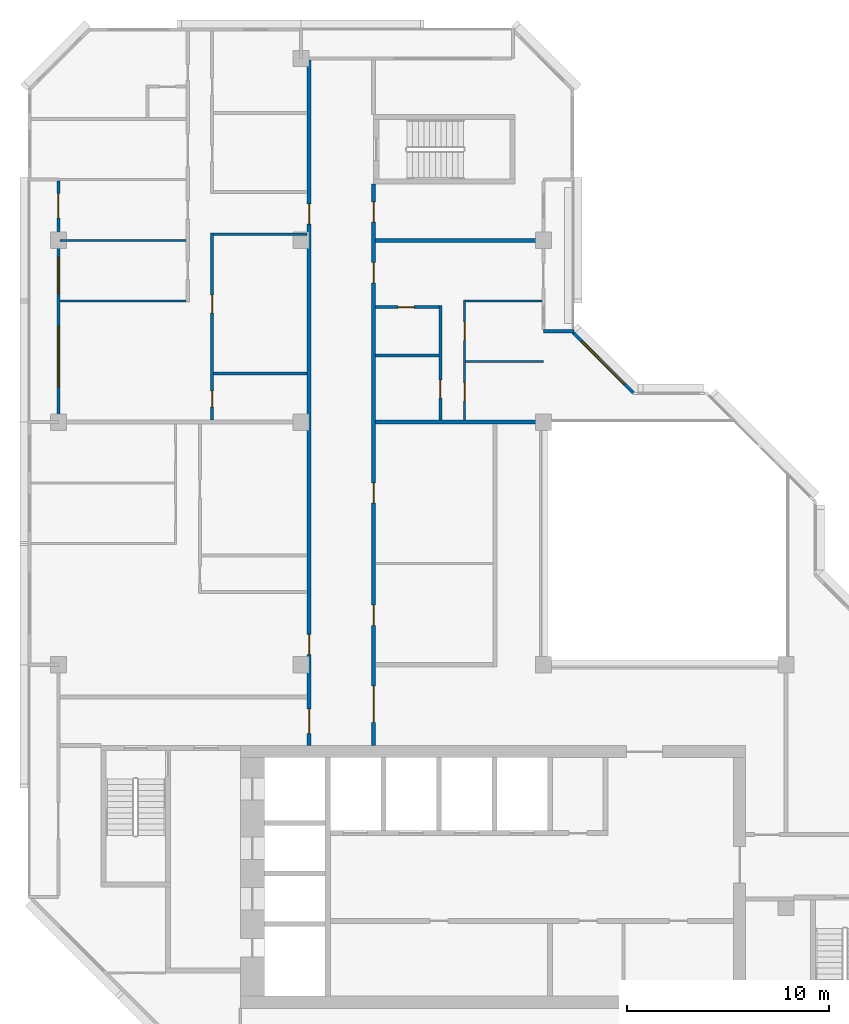
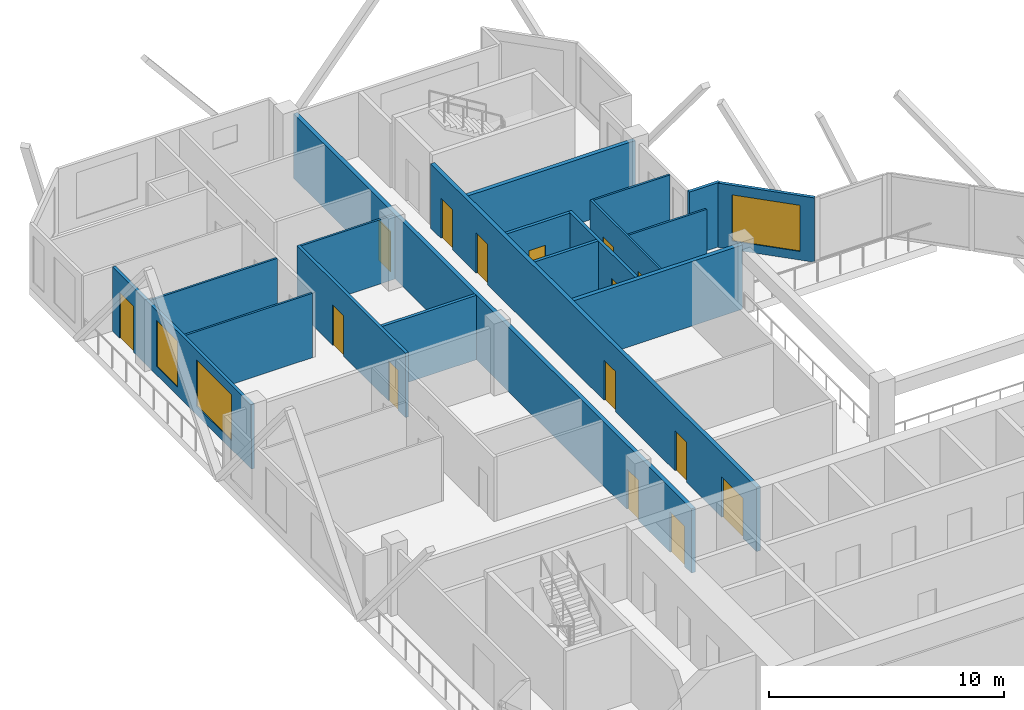
# One storey, part 9 of 13: 18 walls, 15 doors, 3 windows, 18 openings.
"""IFC4 building model written with IfcOpenShell, lengths in metres."""

from ifc_helpers import new_model, si_unit, direction, frame, frame_2d, origin, place, context, subcontext, project, spatial, rectangle, extrude, material, layer, layer_set, type_object, element, fill, save


model = new_model("IFC4")

# Units and contexts
model_context = context("Model", 3, precision=1e-05, world=origin(), true_north=direction((0.0, 1.0)))
body_context = subcontext(model_context, "Body", "Model", "MODEL_VIEW")
ifc_project = project(units=[si_unit("LENGTHUNIT", "METRE"), si_unit("AREAUNIT", "SQUARE_METRE"), si_unit("VOLUMEUNIT", "CUBIC_METRE"), si_unit("PLANEANGLEUNIT", "RADIAN"), si_unit("MASSUNIT", "GRAM", prefix="KILO")], contexts=[model_context])

# Site, building, storey
site_placement = place(None, origin())
site = spatial("IfcSite", under=ifc_project, at=site_placement, CompositionType="ELEMENT")
building_placement = place(site_placement, origin())
building = spatial("IfcBuilding", under=site, at=building_placement, Name="Chenar Terraces", CompositionType="ELEMENT")
storey_placement = place(building_placement, frame((0.0, 0.0, 280.89990234375)))
storey = spatial("IfcBuildingStorey", under=building, at=storey_placement, Name="L65", CompositionType="ELEMENT", Elevation=280.89990234375)

# Wall, openings, doors
ifc_material_1 = material(Name="Gypsum board on steel studs with fire boards", Category="steel")
ifc_layer_1 = layer(ifc_material_1, 0.199951171875)
ifc_layer_set_1 = layer_set([ifc_layer_1], Name="Gypsum board on steel studs with fire boards")
wall_type_1 = type_object("IfcWallType", Name="Corridor wall 200", PredefinedType="PARTITIONING", material=ifc_layer_set_1)
wall_1_placement = place(storey_placement, frame((12.39990234375, 20.0, 0.0), z_axis=(0.0, 0.0, 1.0), x_axis=(0.0, 1.0, 0.0)))
wall_1 = element("IfcWall", 1, at=wall_1_placement, inside=storey, type_object=wall_type_1, Name="Partition L65-028", PredefinedType="PARTITIONING", context=body_context, shape_type="SweptSolid", body=[
    extrude(rectangle(XDim=33.926025390625, YDim=0.199951171875, at=frame_2d((16.962890625, 0.0))), origin(), (0.0, 0.0, 1.0), 3.35009765625),
])
opening_1_placement = place(wall_1_placement, frame((25.800048828125, 0.0, 0.0)))
opening_1 = element("IfcOpeningElement", 2, at=opening_1_placement, cuts=wall_1, Name="Opening DL65-24", PredefinedType="OPENING", context=body_context, shape_type="SweptSolid", body=[
    extrude(rectangle(XDim=1.0, YDim=2.10009765625, at=frame_2d((0.5, 1.050048828125))), frame((0.0, 0.10986328125, 0.0), z_axis=(0.0, -1.0, 0.0), x_axis=(1.0, 0.0, 0.0)), (0.0, 0.0, 1.0), 0.219970703125),
])
opening_2_placement = place(wall_1_placement, frame((0.60009765625, 0.0, 0.0)))
opening_2 = element("IfcOpeningElement", 3, at=opening_2_placement, cuts=wall_1, Name="Opening DL65-30", PredefinedType="OPENING", context=body_context, shape_type="SweptSolid", body=[
    extrude(rectangle(XDim=1.199951171875, YDim=2.10009765625, at=frame_2d((0.60009765625, 1.050048828125))), frame((0.0, 0.10986328125, 0.0), z_axis=(0.0, -1.0, 0.0), x_axis=(1.0, 0.0, 0.0)), (0.0, 0.0, 1.0), 0.219970703125),
])
opening_3_placement = place(wall_1_placement, frame((4.5, 0.0, 0.0)))
opening_3 = element("IfcOpeningElement", 4, at=opening_3_placement, cuts=wall_1, Name="Opening DL65-53", PredefinedType="OPENING", context=body_context, shape_type="SweptSolid", body=[
    extrude(rectangle(XDim=1.0, YDim=2.10009765625, at=frame_2d((0.5, 1.050048828125))), frame((0.0, 0.10986328125, 0.0), z_axis=(0.0, -1.0, 0.0), x_axis=(1.0, 0.0, 0.0)), (0.0, 0.0, 1.0), 0.219970703125),
])
ifc_material_2 = material(Name="Steel-framed fire-resisting door leaf", Category="steel")
door_type_1 = type_object("IfcDoorType", Name="Fire door FD30S 1000 x 2100", OperationType="SINGLE_SWING_LEFT", PredefinedType="DOOR", material=ifc_material_2)
door_1_placement = place(opening_1_placement, origin())
door_1 = element("IfcDoor", 5, at=door_1_placement, inside=storey, type_object=door_type_1, Name="Door DL65-24", OperationType="SINGLE_SWING_LEFT", OverallHeight=2.10009765625, OverallWidth=1.0, PredefinedType="DOOR", context=body_context, shape_type="SweptSolid", body=[
    extrude(rectangle(XDim=1.0, YDim=2.10009765625, at=frame_2d((0.5, 1.050048828125))), frame((0.0, 0.02490234375, 0.0), z_axis=(0.0, -1.0, 0.0), x_axis=(1.0, 0.0, 0.0)), (0.0, 0.0, 1.0), 0.050048828125),
])
fill(opening_1, door_1)
door_2_placement = place(opening_3_placement, origin())
door_2 = element("IfcDoor", 6, at=door_2_placement, inside=storey, type_object=door_type_1, Name="Door DL65-53", OperationType="SINGLE_SWING_LEFT", OverallHeight=2.10009765625, OverallWidth=1.0, PredefinedType="DOOR", context=body_context, shape_type="SweptSolid", body=[
    extrude(rectangle(XDim=1.0, YDim=2.10009765625, at=frame_2d((0.5, 1.050048828125))), frame((0.0, 0.02490234375, 0.0), z_axis=(0.0, -1.0, 0.0), x_axis=(1.0, 0.0, 0.0)), (0.0, 0.0, 1.0), 0.050048828125),
])
fill(opening_3, door_2)
ifc_material_3 = material(Name="Steel-framed fire-resisting door leaf", Category="steel")
door_type_2 = type_object("IfcDoorType", Name="Fire door FD30S 1200 x 2100", OperationType="SINGLE_SWING_LEFT", PredefinedType="DOOR", material=ifc_material_3)
door_3_placement = place(opening_2_placement, origin())
door_3 = element("IfcDoor", 7, at=door_3_placement, inside=storey, type_object=door_type_2, Name="Door DL65-30", OperationType="SINGLE_SWING_RIGHT", OverallHeight=2.10009765625, OverallWidth=1.199951171875, PredefinedType="DOOR", context=body_context, shape_type="SweptSolid", body=[
    extrude(rectangle(XDim=1.199951171875, YDim=2.10009765625, at=frame_2d((0.60009765625, 1.050048828125))), frame((0.0, 0.02490234375, 0.0), z_axis=(0.0, -1.0, 0.0), x_axis=(1.0, 0.0, 0.0)), (0.0, 0.0, 1.0), 0.050048828125),
])
fill(opening_2, door_3)

wall_2_placement = place(storey_placement, frame((15.60009765625, 20.0, 0.0), z_axis=(0.0, 0.0, 1.0), x_axis=(0.0, 1.0, 0.0)))
wall_2 = element("IfcWall", 8, at=wall_2_placement, inside=storey, type_object=wall_type_1, Name="Partition L65-029", PredefinedType="PARTITIONING", context=body_context, shape_type="SweptSolid", body=[
    extrude(rectangle(XDim=27.77490234375, YDim=0.199951171875, at=frame_2d((13.887451171875, 0.0))), origin(), (0.0, 0.0, 1.0), 3.35009765625),
])
opening_4_placement = place(wall_2_placement, frame((5.949951171875, 0.0, 0.0)))
opening_4 = element("IfcOpeningElement", 9, at=opening_4_placement, cuts=wall_2, Name="Opening DL65-1", PredefinedType="OPENING", context=body_context, shape_type="SweptSolid", body=[
    extrude(rectangle(XDim=1.0, YDim=2.10009765625, at=frame_2d((0.5, 1.050048828125))), frame((0.0, 0.10986328125, 0.0), z_axis=(0.0, -1.0, 0.0), x_axis=(1.0, 0.0, 0.0)), (0.0, 0.0, 1.0), 0.219970703125),
])
opening_5_placement = place(wall_2_placement, frame((12.0, 0.0, 0.0)))
opening_5 = element("IfcOpeningElement", 10, at=opening_5_placement, cuts=wall_2, Name="Opening DL65-2", PredefinedType="OPENING", context=body_context, shape_type="SweptSolid", body=[
    extrude(rectangle(XDim=1.0, YDim=2.10009765625, at=frame_2d((0.5, 1.050048828125))), frame((0.0, 0.10986328125, 0.0), z_axis=(0.0, -1.0, 0.0), x_axis=(1.0, 0.0, 0.0)), (0.0, 0.0, 1.0), 0.219970703125),
])
opening_6_placement = place(wall_2_placement, frame((22.89990234375, 0.0, 0.0)))
opening_6 = element("IfcOpeningElement", 11, at=opening_6_placement, cuts=wall_2, Name="Opening DL65-17", PredefinedType="OPENING", context=body_context, shape_type="SweptSolid", body=[
    extrude(rectangle(XDim=1.0, YDim=2.10009765625, at=frame_2d((0.5, 1.050048828125))), frame((0.0, 0.10986328125, 0.0), z_axis=(0.0, -1.0, 0.0), x_axis=(1.0, 0.0, 0.0)), (0.0, 0.0, 1.0), 0.219970703125),
])
opening_7_placement = place(wall_2_placement, frame((1.14990234375, 0.0, 0.0)))
opening_7 = element("IfcOpeningElement", 12, at=opening_7_placement, cuts=wall_2, Name="Opening DL65-29", PredefinedType="OPENING", context=body_context, shape_type="SweptSolid", body=[
    extrude(rectangle(XDim=1.800048828125, YDim=2.10009765625, at=frame_2d((0.89990234375, 1.050048828125))), frame((0.0, 0.10986328125, 0.0), z_axis=(0.0, -1.0, 0.0), x_axis=(1.0, 0.0, 0.0)), (0.0, 0.0, 1.0), 0.219970703125),
])
opening_8_placement = place(wall_2_placement, frame((25.89990234375, 0.0, 0.0)))
opening_8 = element("IfcOpeningElement", 13, at=opening_8_placement, cuts=wall_2, Name="Opening DL65-32", PredefinedType="OPENING", context=body_context, shape_type="SweptSolid", body=[
    extrude(rectangle(XDim=1.0, YDim=2.10009765625, at=frame_2d((0.5, 1.050048828125))), frame((0.0, 0.10986328125, 0.0), z_axis=(0.0, -1.0, 0.0), x_axis=(1.0, 0.0, 0.0)), (0.0, 0.0, 1.0), 0.219970703125),
])
ifc_material_4 = material(Name="Steel-framed fire-resisting door leaf", Category="steel")
door_type_3 = type_object("IfcDoorType", Name="Fire door FD60 1000 x 2100", OperationType="SINGLE_SWING_LEFT", PredefinedType="DOOR", material=ifc_material_4)
door_4_placement = place(opening_4_placement, frame((1.0, 0.0, 0.0), z_axis=(0.0, 0.0, 1.0), x_axis=(-1.0, 0.0, 0.0)))
door_4 = element("IfcDoor", 14, at=door_4_placement, inside=storey, type_object=door_type_3, Name="Door DL65-1", OperationType="SINGLE_SWING_LEFT", OverallHeight=2.10009765625, OverallWidth=1.0, PredefinedType="DOOR", context=body_context, shape_type="SweptSolid", body=[
    extrude(rectangle(XDim=1.0, YDim=2.10009765625, at=frame_2d((0.5, 1.050048828125))), frame((0.0, 0.02490234375, 0.0), z_axis=(0.0, -1.0, 0.0), x_axis=(1.0, 0.0, 0.0)), (0.0, 0.0, 1.0), 0.050048828125),
])
fill(opening_4, door_4)
door_5_placement = place(opening_5_placement, frame((1.0, 0.0, 0.0), z_axis=(0.0, 0.0, 1.0), x_axis=(-1.0, 0.0, 0.0)))
door_5 = element("IfcDoor", 15, at=door_5_placement, inside=storey, type_object=door_type_3, Name="Door DL65-2", OperationType="SINGLE_SWING_LEFT", OverallHeight=2.10009765625, OverallWidth=1.0, PredefinedType="DOOR", context=body_context, shape_type="SweptSolid", body=[
    extrude(rectangle(XDim=1.0, YDim=2.10009765625, at=frame_2d((0.5, 1.050048828125))), frame((0.0, 0.02490234375, 0.0), z_axis=(0.0, -1.0, 0.0), x_axis=(1.0, 0.0, 0.0)), (0.0, 0.0, 1.0), 0.050048828125),
])
fill(opening_5, door_5)
door_6_placement = place(opening_6_placement, frame((1.0, 0.0, 0.0), z_axis=(0.0, 0.0, 1.0), x_axis=(-1.0, 0.0, 0.0)))
door_6 = element("IfcDoor", 16, at=door_6_placement, inside=storey, type_object=door_type_3, Name="Door DL65-17", OperationType="SINGLE_SWING_LEFT", OverallHeight=2.10009765625, OverallWidth=1.0, PredefinedType="DOOR", context=body_context, shape_type="SweptSolid", body=[
    extrude(rectangle(XDim=1.0, YDim=2.10009765625, at=frame_2d((0.5, 1.050048828125))), frame((0.0, 0.02490234375, 0.0), z_axis=(0.0, -1.0, 0.0), x_axis=(1.0, 0.0, 0.0)), (0.0, 0.0, 1.0), 0.050048828125),
])
fill(opening_6, door_6)
door_7_placement = place(opening_8_placement, frame((1.0, 0.0, 0.0), z_axis=(0.0, 0.0, 1.0), x_axis=(-1.0, 0.0, 0.0)))
door_7 = element("IfcDoor", 17, at=door_7_placement, inside=storey, type_object=door_type_3, Name="Door DL65-32", OperationType="SINGLE_SWING_RIGHT", OverallHeight=2.10009765625, OverallWidth=1.0, PredefinedType="DOOR", context=body_context, shape_type="SweptSolid", body=[
    extrude(rectangle(XDim=1.0, YDim=2.10009765625, at=frame_2d((0.5, 1.050048828125))), frame((0.0, 0.02490234375, 0.0), z_axis=(0.0, -1.0, 0.0), x_axis=(1.0, 0.0, 0.0)), (0.0, 0.0, 1.0), 0.050048828125),
])
fill(opening_8, door_7)
ifc_material_5 = material(Name="Steel-framed fire-resisting door leaf", Category="steel")
door_type_4 = type_object("IfcDoorType", Name="Fire double door FD60 1800 x 2100", OperationType="DOUBLE_DOOR_SINGLE_SWING", PredefinedType="DOOR", material=ifc_material_5)
door_8_placement = place(opening_7_placement, frame((1.800048828125, 0.0, 0.0), z_axis=(0.0, 0.0, 1.0), x_axis=(-1.0, 0.0, 0.0)))
door_8 = element("IfcDoor", 18, at=door_8_placement, inside=storey, type_object=door_type_4, Name="Door DL65-29", OperationType="DOUBLE_DOOR_SINGLE_SWING", OverallHeight=2.10009765625, OverallWidth=1.800048828125, PredefinedType="DOOR", context=body_context, shape_type="SweptSolid", body=[
    extrude(rectangle(XDim=1.800048828125, YDim=2.10009765625, at=frame_2d((0.89990234375, 1.050048828125))), frame((0.0, 0.02490234375, 0.0), z_axis=(0.0, -1.0, 0.0), x_axis=(1.0, 0.0, 0.0)), (0.0, 0.0, 1.0), 0.050048828125),
])
fill(opening_7, door_8)

# Wall, openings, windows, door
ifc_material_6 = material(Name="Aluminium framed glazing", Category="aluminium")
ifc_layer_2 = layer(ifc_material_6, 0.14990234375)
ifc_layer_set_2 = layer_set([ifc_layer_2], Name="Aluminium framed glazing")
wall_type_2 = type_object("IfcWallType", Name="Glazed loggia back wall 150", PredefinedType="SOLIDWALL", material=ifc_layer_set_2)
wall_3_placement = place(storey_placement, frame((0.0, 47.925048828125, 0.0), z_axis=(0.0, 0.0, 1.0), x_axis=(0.0, -1.0, 0.0)))
wall_3 = element("IfcWall", 19, at=wall_3_placement, inside=storey, type_object=wall_type_2, Name="Glazed loggia back wall", PredefinedType="SOLIDWALL", context=body_context, shape_type="SweptSolid", body=[
    extrude(rectangle(XDim=11.85009765625, YDim=0.14990234375, at=frame_2d((5.925048828125, 0.0))), origin(), (0.0, 0.0, 1.0), 3.35009765625),
])
opening_9_placement = place(wall_3_placement, frame((0.612548828125, 0.0, 0.0)))
opening_9 = element("IfcOpeningElement", 20, at=opening_9_placement, cuts=wall_3, Name="Opening DL65-G3", PredefinedType="OPENING", context=body_context, shape_type="SweptSolid", body=[
    extrude(rectangle(XDim=1.199951171875, YDim=2.39990234375, at=frame_2d((0.60009765625, 1.199951171875))), frame((0.0, 0.0849609375, 0.0), z_axis=(0.0, -1.0, 0.0), x_axis=(1.0, 0.0, 0.0)), (0.0, 0.0, 1.0), 0.169921875),
])
opening_10_placement = place(wall_3_placement, frame((3.77490234375, 0.0, 0.449951171875)))
opening_10 = element("IfcOpeningElement", 21, at=opening_10_placement, cuts=wall_3, Name="Opening W180x240", PredefinedType="OPENING", context=body_context, shape_type="SweptSolid", body=[
    extrude(rectangle(XDim=1.800048828125, YDim=2.39990234375, at=frame_2d((0.89990234375, 1.199951171875))), frame((0.0, 0.0849609375, 0.0), z_axis=(0.0, -1.0, 0.0), x_axis=(1.0, 0.0, 0.0)), (0.0, 0.0, 1.0), 0.169921875),
])
opening_11_placement = place(wall_3_placement, frame((7.175048828125, 0.0, 0.449951171875)))
opening_11 = element("IfcOpeningElement", 22, at=opening_11_placement, cuts=wall_3, Name="Opening W300x240", PredefinedType="OPENING", context=body_context, shape_type="SweptSolid", body=[
    extrude(rectangle(XDim=3.0, YDim=2.39990234375, at=frame_2d((1.5, 1.199951171875))), frame((0.0, 0.0849609375, 0.0), z_axis=(0.0, -1.0, 0.0), x_axis=(1.0, 0.0, 0.0)), (0.0, 0.0, 1.0), 0.169921875),
])
ifc_material_7 = material(Name="Low emissivity double glazing, aluminium frame", Category="aluminium")
window_type_1 = type_object("IfcWindowType", Name="Fixed light 1800 x 2400", PartitioningType="SINGLE_PANEL", PredefinedType="WINDOW", material=ifc_material_7)
window_1_placement = place(opening_10_placement, origin())
window_1 = element("IfcWindow", 23, at=window_1_placement, inside=storey, type_object=window_type_1, Name="Window", OverallHeight=2.39990234375, OverallWidth=1.800048828125, PartitioningType="SINGLE_PANEL", PredefinedType="WINDOW", context=body_context, shape_type="SweptSolid", body=[
    extrude(rectangle(XDim=1.800048828125, YDim=2.39990234375, at=frame_2d((0.89990234375, 1.199951171875))), frame((0.0, 0.030029296875, 0.0), z_axis=(0.0, -1.0, 0.0), x_axis=(1.0, 0.0, 0.0)), (0.0, 0.0, 1.0), 0.06005859375),
])
fill(opening_10, window_1)
ifc_material_8 = material(Name="Low emissivity double glazing, aluminium frame", Category="aluminium")
window_type_2 = type_object("IfcWindowType", Name="Fixed light 3000 x 2400", PartitioningType="SINGLE_PANEL", PredefinedType="WINDOW", material=ifc_material_8)
window_2_placement = place(opening_11_placement, origin())
window_2 = element("IfcWindow", 24, at=window_2_placement, inside=storey, type_object=window_type_2, Name="Window", OverallHeight=2.39990234375, OverallWidth=3.0, PartitioningType="SINGLE_PANEL", PredefinedType="WINDOW", context=body_context, shape_type="SweptSolid", body=[
    extrude(rectangle(XDim=3.0, YDim=2.39990234375, at=frame_2d((1.5, 1.199951171875))), frame((0.0, 0.030029296875, 0.0), z_axis=(0.0, -1.0, 0.0), x_axis=(1.0, 0.0, 0.0)), (0.0, 0.0, 1.0), 0.06005859375),
])
fill(opening_11, window_2)
ifc_material_9 = material(Name="Low emissivity double glazing, aluminium frame", Category="aluminium")
door_type_5 = type_object("IfcDoorType", Name="Loggia glazed double door 1200 x 2400", OperationType="DOUBLE_DOOR_SINGLE_SWING", PredefinedType="DOOR", material=ifc_material_9)
door_9_placement = place(opening_9_placement, frame((1.199951171875, 0.0, 0.0), z_axis=(0.0, 0.0, 1.0), x_axis=(-1.0, 0.0, 0.0)))
door_9 = element("IfcDoor", 25, at=door_9_placement, inside=storey, type_object=door_type_5, Name="Loggia glazed door", OperationType="DOUBLE_DOOR_SINGLE_SWING", OverallHeight=2.39990234375, OverallWidth=1.199951171875, PredefinedType="DOOR", context=body_context, shape_type="SweptSolid", body=[
    extrude(rectangle(XDim=1.199951171875, YDim=2.39990234375, at=frame_2d((0.60009765625, 1.199951171875))), frame((0.0, 0.02490234375, 0.0), z_axis=(0.0, -1.0, 0.0), x_axis=(1.0, 0.0, 0.0)), (0.0, 0.0, 1.0), 0.050048828125),
])
fill(opening_9, door_9)

# Walls
ifc_material_10 = material(Name="Gypsum board on steel studs", Category="steel")
ifc_layer_3 = layer(ifc_material_10, 0.10009765625)
ifc_layer_set_3 = layer_set([ifc_layer_3], Name="Gypsum board on steel studs")
wall_type_3 = type_object("IfcWallType", Name="Gypsum partition 100", PredefinedType="PARTITIONING", material=ifc_layer_set_3)
for number, where, z_axis, x_axis, name in (
    (26, (0.073974609375, 42.0, 0.0), (0.0, 0.0, 1.0), (1.0, 0.0, 0.0), "Partition L65-008"),
    (27, (0.073974609375, 45.0, 0.0), (0.0, 0.0, 1.0), (1.0, 0.0, 0.0), "Partition L65-009"),
):
    element("IfcWall", number, at=place(storey_placement, frame(where, z_axis=z_axis, x_axis=x_axis)), inside=storey, type_object=wall_type_3, Name=name, PredefinedType="PARTITIONING", context=body_context, shape_type="SweptSolid", body=[
        extrude(rectangle(XDim=6.2509765625, YDim=0.10009765625, at=frame_2d((3.12548828125, 0.0))), origin(), (0.0, 0.0, 1.0), 3.35009765625),
    ])
wall_4_placement = place(storey_placement, frame((7.675048828125, 45.300048828125, 0.0), z_axis=(0.0, 0.0, 1.0), x_axis=(1.0, 0.0, 0.0)))
element("IfcWall", 28, at=wall_4_placement, inside=storey, type_object=wall_type_3, Name="Partition L65-021", PredefinedType="PARTITIONING", context=body_context, shape_type="SweptSolid", body=[
    extrude(rectangle(XDim=4.625, YDim=0.10009765625, at=frame_2d((2.3125, 0.0))), origin(), (0.0, 0.0, 1.0), 3.35009765625),
])

# Wall, openings, doors
wall_5_placement = place(storey_placement, frame((20.10009765625, 36.10009765625, 0.0), z_axis=(0.0, 0.0, 1.0), x_axis=(0.0, 1.0, 0.0)))
wall_5 = element("IfcWall", 29, at=wall_5_placement, inside=storey, type_object=wall_type_3, Name="Partition L65-038", PredefinedType="PARTITIONING", context=body_context, shape_type="SweptSolid", body=[
    extrude(rectangle(XDim=5.949951171875, YDim=0.10009765625, at=frame_2d((2.97509765625, 0.0))), origin(), (0.0, 0.0, 1.0), 3.35009765625),
])
opening_12_placement = place(wall_5_placement, frame((0.949951171875, 0.0, 0.0)))
opening_12 = element("IfcOpeningElement", 30, at=opening_12_placement, cuts=wall_5, Name="Opening DL65-14", PredefinedType="OPENING", context=body_context, shape_type="SweptSolid", body=[
    extrude(rectangle(XDim=0.89990234375, YDim=2.10009765625, at=frame_2d((0.449951171875, 1.050048828125))), frame((0.0, 0.06005859375, 0.0), z_axis=(0.0, -1.0, 0.0), x_axis=(1.0, 0.0, 0.0)), (0.0, 0.0, 1.0), 0.1201171875),
])
opening_13_placement = place(wall_5_placement, frame((3.949951171875, 0.0, 0.0)))
opening_13 = element("IfcOpeningElement", 31, at=opening_13_placement, cuts=wall_5, Name="Opening DL65-15", PredefinedType="OPENING", context=body_context, shape_type="SweptSolid", body=[
    extrude(rectangle(XDim=0.89990234375, YDim=2.10009765625, at=frame_2d((0.449951171875, 1.050048828125))), frame((0.0, 0.06005859375, 0.0), z_axis=(0.0, -1.0, 0.0), x_axis=(1.0, 0.0, 0.0)), (0.0, 0.0, 1.0), 0.1201171875),
])
ifc_material_11 = material(Name="Veneered timber door leaf", Category="wood")
door_type_6 = type_object("IfcDoorType", Name="Door 900 x 2100", OperationType="SINGLE_SWING_LEFT", PredefinedType="DOOR", material=ifc_material_11)
door_10_placement = place(opening_12_placement, frame((0.89990234375, 0.0, 0.0), z_axis=(0.0, 0.0, 1.0), x_axis=(-1.0, 0.0, 0.0)))
door_10 = element("IfcDoor", 32, at=door_10_placement, inside=storey, type_object=door_type_6, Name="Door DL65-14", OperationType="SINGLE_SWING_LEFT", OverallHeight=2.10009765625, OverallWidth=0.89990234375, PredefinedType="DOOR", context=body_context, shape_type="SweptSolid", body=[
    extrude(rectangle(XDim=0.89990234375, YDim=2.10009765625, at=frame_2d((0.449951171875, 1.050048828125))), frame((0.0, 0.02490234375, 0.0), z_axis=(0.0, -1.0, 0.0), x_axis=(1.0, 0.0, 0.0)), (0.0, 0.0, 1.0), 0.050048828125),
])
fill(opening_12, door_10)
door_11_placement = place(opening_13_placement, frame((0.89990234375, 0.0, 0.0), z_axis=(0.0, 0.0, 1.0), x_axis=(-1.0, 0.0, 0.0)))
door_11 = element("IfcDoor", 33, at=door_11_placement, inside=storey, type_object=door_type_6, Name="Door DL65-15", OperationType="SINGLE_SWING_LEFT", OverallHeight=2.10009765625, OverallWidth=0.89990234375, PredefinedType="DOOR", context=body_context, shape_type="SweptSolid", body=[
    extrude(rectangle(XDim=0.89990234375, YDim=2.10009765625, at=frame_2d((0.449951171875, 1.050048828125))), frame((0.0, 0.02490234375, 0.0), z_axis=(0.0, -1.0, 0.0), x_axis=(1.0, 0.0, 0.0)), (0.0, 0.0, 1.0), 0.050048828125),
])
fill(opening_13, door_11)

# Walls
wall_6_placement = place(storey_placement, frame((20.14990234375, 39.0, 0.0), z_axis=(0.0, 0.0, 1.0), x_axis=(1.0, 0.0, 0.0)))
element("IfcWall", 34, at=wall_6_placement, inside=storey, type_object=wall_type_3, Name="Partition L65-039", PredefinedType="PARTITIONING", context=body_context, shape_type="SweptSolid", body=[
    extrude(rectangle(XDim=3.85009765625, YDim=0.10009765625, at=frame_2d((1.925048828125, 0.0))), origin(), (0.0, 0.0, 1.0), 3.35009765625),
])
wall_7_placement = place(storey_placement, frame((20.14990234375, 42.0, 0.0), z_axis=(0.0, 0.0, 1.0), x_axis=(1.0, 0.0, 0.0)))
element("IfcWall", 35, at=wall_7_placement, inside=storey, type_object=wall_type_3, Name="Partition L65-040", PredefinedType="PARTITIONING", context=body_context, shape_type="SweptSolid", body=[
    extrude(rectangle(XDim=3.776123046875, YDim=0.10009765625, at=frame_2d((1.88818359375, 0.0))), origin(), (0.0, 0.0, 1.0), 3.35009765625),
])
ifc_material_12 = material(Name="Terracotta cladding on insulated backing", Category="masonry")
ifc_layer_4 = layer(ifc_material_12, 0.14990234375)
ifc_layer_set_4 = layer_set([ifc_layer_4], Name="Terracotta cladding on insulated backing")
wall_type_4 = type_object("IfcWallType", Name="Loggia return wall 150", PredefinedType="SOLIDWALL", material=ifc_layer_set_4)
wall_8_placement = place(storey_placement, frame((25.5, 40.5, 0.0), z_axis=(0.0, 0.0, 1.0), x_axis=(-1.0, 0.0, 0.0)))
element("IfcWall", 36, at=wall_8_placement, inside=storey, type_object=wall_type_4, Name="Loggia return wall", PredefinedType="SOLIDWALL", context=body_context, shape_type="SweptSolid", body=[
    extrude(rectangle(XDim=1.5, YDim=0.14990234375, at=frame_2d((0.75, 0.0))), origin(), (0.0, 0.0, 1.0), 3.35009765625),
])

# Wall, opening, window
ifc_material_13 = material(Name="Terracotta cladding on insulated backing", Category="masonry")
ifc_layer_5 = layer(ifc_material_13, 0.14990234375)
ifc_layer_set_5 = layer_set([ifc_layer_5], Name="Terracotta cladding on insulated backing")
wall_type_5 = type_object("IfcWallType", Name="Terracotta rainscreen wall 150", PredefinedType="SOLIDWALL", material=ifc_layer_set_5)
wall_9_placement = place(storey_placement, frame((28.447021484375, 37.447021484375, 0.0), z_axis=(0.0, 0.0, 1.0), x_axis=(-0.707106781187, 0.707106781187, 0.0)))
wall_9 = element("IfcWall", 37, at=wall_9_placement, inside=storey, type_object=wall_type_5, Name="Terracotta rainscreen wall", PredefinedType="SOLIDWALL", context=body_context, shape_type="SweptSolid", body=[
    extrude(rectangle(XDim=4.24267578125, YDim=0.14990234375, at=frame_2d((2.121337890625, 0.0))), origin(), (0.0, 0.0, 1.0), 3.35009765625),
])
opening_14_placement = place(wall_9_placement, frame((0.621337890625, 0.0, 0.449951171875)))
opening_14 = element("IfcOpeningElement", 38, at=opening_14_placement, cuts=wall_9, Name="Opening W300x240", PredefinedType="OPENING", context=body_context, shape_type="SweptSolid", body=[
    extrude(rectangle(XDim=3.0, YDim=2.39990234375, at=frame_2d((1.5, 1.199951171875))), frame((0.0, 0.0849609375, 0.0), z_axis=(0.0, -1.0, 0.0), x_axis=(1.0, 0.0, 0.0)), (0.0, 0.0, 1.0), 0.169921875),
])
window_3_placement = place(opening_14_placement, origin())
window_3 = element("IfcWindow", 39, at=window_3_placement, inside=storey, type_object=window_type_2, Name="Window", OverallHeight=2.39990234375, OverallWidth=3.0, PartitioningType="SINGLE_PANEL", PredefinedType="WINDOW", context=body_context, shape_type="SweptSolid", body=[
    extrude(rectangle(XDim=3.0, YDim=2.39990234375, at=frame_2d((1.5, 1.199951171875))), frame((0.0, 0.030029296875, 0.0), z_axis=(0.0, -1.0, 0.0), x_axis=(1.0, 0.0, 0.0)), (0.0, 0.0, 1.0), 0.06005859375),
])
fill(opening_14, window_3)

# Walls
ifc_material_14 = material(Name="Twin gypsum board on steel studs with mineral wool", Category="steel")
ifc_layer_6 = layer(ifc_material_14, 0.199951171875)
ifc_layer_set_6 = layer_set([ifc_layer_6], Name="Twin gypsum board on steel studs with mineral wool")
wall_type_6 = type_object("IfcWallType", Name="Unit demising wall 200", PredefinedType="PARTITIONING", material=ifc_layer_set_6)
wall_10_placement = place(storey_placement, frame((15.699951171875, 36.0, 0.0), z_axis=(0.0, 0.0, 1.0), x_axis=(1.0, 0.0, 0.0)))
element("IfcWall", 40, at=wall_10_placement, inside=storey, type_object=wall_type_6, Name="Partition L65-033", PredefinedType="PARTITIONING", context=body_context, shape_type="SweptSolid", body=[
    extrude(rectangle(XDim=8.300048828125, YDim=0.199951171875, at=frame_2d((4.14990234375, 0.0))), origin(), (0.0, 0.0, 1.0), 3.35009765625),
])
wall_11_placement = place(storey_placement, frame((15.699951171875, 45.0, 0.0), z_axis=(0.0, 0.0, 1.0), x_axis=(1.0, 0.0, 0.0)))
element("IfcWall", 41, at=wall_11_placement, inside=storey, type_object=wall_type_6, Name="Partition L65-036", PredefinedType="PARTITIONING", context=body_context, shape_type="SweptSolid", body=[
    extrude(rectangle(XDim=8.22607421875, YDim=0.199951171875, at=frame_2d((4.113037109375, 0.0))), origin(), (0.0, 0.0, 1.0), 3.35009765625),
])

# Wall, openings, doors
ifc_material_15 = material(Name="Moisture-resistant gypsum board on steel studs", Category="steel")
ifc_layer_7 = layer(ifc_material_15, 0.14990234375)
ifc_layer_set_7 = layer_set([ifc_layer_7], Name="Moisture-resistant gypsum board on steel studs")
wall_type_7 = type_object("IfcWallType", Name="Wet-room partition 150", PredefinedType="PARTITIONING", material=ifc_layer_set_7)
wall_12_placement = place(storey_placement, frame((7.60009765625, 36.10009765625, 0.0), z_axis=(0.0, 0.0, 1.0), x_axis=(0.0, 1.0, 0.0)))
wall_12 = element("IfcWall", 42, at=wall_12_placement, inside=storey, type_object=wall_type_7, Name="Partition L65-018", PredefinedType="PARTITIONING", context=body_context, shape_type="SweptSolid", body=[
    extrude(rectangle(XDim=9.25, YDim=0.14990234375, at=frame_2d((4.625, 0.0))), origin(), (0.0, 0.0, 1.0), 3.35009765625),
])
opening_15_placement = place(wall_12_placement, frame((5.300048828125, 0.0, 0.0)))
opening_15 = element("IfcOpeningElement", 43, at=opening_15_placement, cuts=wall_12, Name="Opening DL65-21", PredefinedType="OPENING", context=body_context, shape_type="SweptSolid", body=[
    extrude(rectangle(XDim=0.89990234375, YDim=2.10009765625, at=frame_2d((0.449951171875, 1.050048828125))), frame((0.0, 0.0849609375, 0.0), z_axis=(0.0, -1.0, 0.0), x_axis=(1.0, 0.0, 0.0)), (0.0, 0.0, 1.0), 0.169921875),
])
opening_16_placement = place(wall_12_placement, frame((0.64990234375, 0.0, 0.0)))
opening_16 = element("IfcOpeningElement", 44, at=opening_16_placement, cuts=wall_12, Name="Opening DL65-22", PredefinedType="OPENING", context=body_context, shape_type="SweptSolid", body=[
    extrude(rectangle(XDim=0.800048828125, YDim=2.10009765625, at=frame_2d((0.39990234375, 1.050048828125))), frame((0.0, 0.0849609375, 0.0), z_axis=(0.0, -1.0, 0.0), x_axis=(1.0, 0.0, 0.0)), (0.0, 0.0, 1.0), 0.169921875),
])
ifc_material_16 = material(Name="Veneered timber door leaf", Category="wood")
door_type_7 = type_object("IfcDoorType", Name="Door 800 x 2100", OperationType="SINGLE_SWING_LEFT", PredefinedType="DOOR", material=ifc_material_16)
door_12_placement = place(opening_16_placement, frame((0.800048828125, 0.0, 0.0), z_axis=(0.0, 0.0, 1.0), x_axis=(-1.0, 0.0, 0.0)))
door_12 = element("IfcDoor", 45, at=door_12_placement, inside=storey, type_object=door_type_7, Name="Door DL65-22", OperationType="SINGLE_SWING_RIGHT", OverallHeight=2.10009765625, OverallWidth=0.800048828125, PredefinedType="DOOR", context=body_context, shape_type="SweptSolid", body=[
    extrude(rectangle(XDim=0.800048828125, YDim=2.10009765625, at=frame_2d((0.39990234375, 1.050048828125))), frame((0.0, 0.02490234375, 0.0), z_axis=(0.0, -1.0, 0.0), x_axis=(1.0, 0.0, 0.0)), (0.0, 0.0, 1.0), 0.050048828125),
])
fill(opening_16, door_12)
door_13_placement = place(opening_15_placement, frame((0.89990234375, 0.0, 0.0), z_axis=(0.0, 0.0, 1.0), x_axis=(-1.0, 0.0, 0.0)))
door_13 = element("IfcDoor", 46, at=door_13_placement, inside=storey, type_object=door_type_6, Name="Door DL65-21", OperationType="SINGLE_SWING_RIGHT", OverallHeight=2.10009765625, OverallWidth=0.89990234375, PredefinedType="DOOR", context=body_context, shape_type="SweptSolid", body=[
    extrude(rectangle(XDim=0.89990234375, YDim=2.10009765625, at=frame_2d((0.449951171875, 1.050048828125))), frame((0.0, 0.02490234375, 0.0), z_axis=(0.0, -1.0, 0.0), x_axis=(1.0, 0.0, 0.0)), (0.0, 0.0, 1.0), 0.050048828125),
])
fill(opening_15, door_13)

# Walls
wall_13_placement = place(storey_placement, frame((7.675048828125, 38.39990234375, 0.0), z_axis=(0.0, 0.0, 1.0), x_axis=(1.0, 0.0, 0.0)))
element("IfcWall", 47, at=wall_13_placement, inside=storey, type_object=wall_type_7, Name="Partition L65-020", PredefinedType="PARTITIONING", context=body_context, shape_type="SweptSolid", body=[
    extrude(rectangle(XDim=4.625, YDim=0.14990234375, at=frame_2d((2.3125, 0.0))), origin(), (0.0, 0.0, 1.0), 3.35009765625),
])
wall_14_placement = place(storey_placement, frame((15.699951171875, 39.300048828125, 0.0), z_axis=(0.0, 0.0, 1.0), x_axis=(1.0, 0.0, 0.0)))
element("IfcWall", 48, at=wall_14_placement, inside=storey, type_object=wall_type_7, Name="Partition L65-034", PredefinedType="PARTITIONING", context=body_context, shape_type="SweptSolid", body=[
    extrude(rectangle(XDim=3.125, YDim=0.14990234375, at=frame_2d((1.5625, 0.0))), origin(), (0.0, 0.0, 1.0), 3.35009765625),
])

# Wall, opening, door
wall_15_placement = place(storey_placement, frame((15.699951171875, 41.699951171875, 0.0), z_axis=(0.0, 0.0, 1.0), x_axis=(1.0, 0.0, 0.0)))
wall_15 = element("IfcWall", 49, at=wall_15_placement, inside=storey, type_object=wall_type_7, Name="Partition L65-035", PredefinedType="PARTITIONING", context=body_context, shape_type="SweptSolid", body=[
    extrude(rectangle(XDim=3.125, YDim=0.14990234375, at=frame_2d((1.5625, 0.0))), origin(), (0.0, 0.0, 1.0), 3.35009765625),
])
opening_17_placement = place(wall_15_placement, frame((1.10009765625, 0.0, 0.0)))
opening_17 = element("IfcOpeningElement", 50, at=opening_17_placement, cuts=wall_15, Name="Opening DL65-13", PredefinedType="OPENING", context=body_context, shape_type="SweptSolid", body=[
    extrude(rectangle(XDim=0.800048828125, YDim=2.10009765625, at=frame_2d((0.39990234375, 1.050048828125))), frame((0.0, 0.0849609375, 0.0), z_axis=(0.0, -1.0, 0.0), x_axis=(1.0, 0.0, 0.0)), (0.0, 0.0, 1.0), 0.169921875),
])
door_14_placement = place(opening_17_placement, frame((0.800048828125, 0.0, 0.0), z_axis=(0.0, 0.0, 1.0), x_axis=(-1.0, 0.0, 0.0)))
door_14 = element("IfcDoor", 51, at=door_14_placement, inside=storey, type_object=door_type_7, Name="Door DL65-13", OperationType="SINGLE_SWING_RIGHT", OverallHeight=2.10009765625, OverallWidth=0.800048828125, PredefinedType="DOOR", context=body_context, shape_type="SweptSolid", body=[
    extrude(rectangle(XDim=0.800048828125, YDim=2.10009765625, at=frame_2d((0.39990234375, 1.050048828125))), frame((0.0, 0.02490234375, 0.0), z_axis=(0.0, -1.0, 0.0), x_axis=(1.0, 0.0, 0.0)), (0.0, 0.0, 1.0), 0.050048828125),
])
fill(opening_17, door_14)

wall_16_placement = place(storey_placement, frame((18.89990234375, 36.10009765625, 0.0), z_axis=(0.0, 0.0, 1.0), x_axis=(0.0, 1.0, 0.0)))
wall_16 = element("IfcWall", 52, at=wall_16_placement, inside=storey, type_object=wall_type_7, Name="Partition L65-037", PredefinedType="PARTITIONING", context=body_context, shape_type="SweptSolid", body=[
    extrude(rectangle(XDim=5.6748046875, YDim=0.14990234375, at=frame_2d((2.83740234375, 0.0))), origin(), (0.0, 0.0, 1.0), 3.35009765625),
])
opening_18_placement = place(wall_16_placement, frame((1.10009765625, 0.0, 0.0)))
opening_18 = element("IfcOpeningElement", 53, at=opening_18_placement, cuts=wall_16, Name="Opening DL65-16", PredefinedType="OPENING", context=body_context, shape_type="SweptSolid", body=[
    extrude(rectangle(XDim=0.89990234375, YDim=2.10009765625, at=frame_2d((0.449951171875, 1.050048828125))), frame((0.0, 0.0849609375, 0.0), z_axis=(0.0, -1.0, 0.0), x_axis=(1.0, 0.0, 0.0)), (0.0, 0.0, 1.0), 0.169921875),
])
door_15_placement = place(opening_18_placement, origin())
door_15 = element("IfcDoor", 54, at=door_15_placement, inside=storey, type_object=door_type_6, Name="Door DL65-16", OperationType="SINGLE_SWING_LEFT", OverallHeight=2.10009765625, OverallWidth=0.89990234375, PredefinedType="DOOR", context=body_context, shape_type="SweptSolid", body=[
    extrude(rectangle(XDim=0.89990234375, YDim=2.10009765625, at=frame_2d((0.449951171875, 1.050048828125))), frame((0.0, 0.02490234375, 0.0), z_axis=(0.0, -1.0, 0.0), x_axis=(1.0, 0.0, 0.0)), (0.0, 0.0, 1.0), 0.050048828125),
])
fill(opening_18, door_15)

save(model, "model.ifc")
